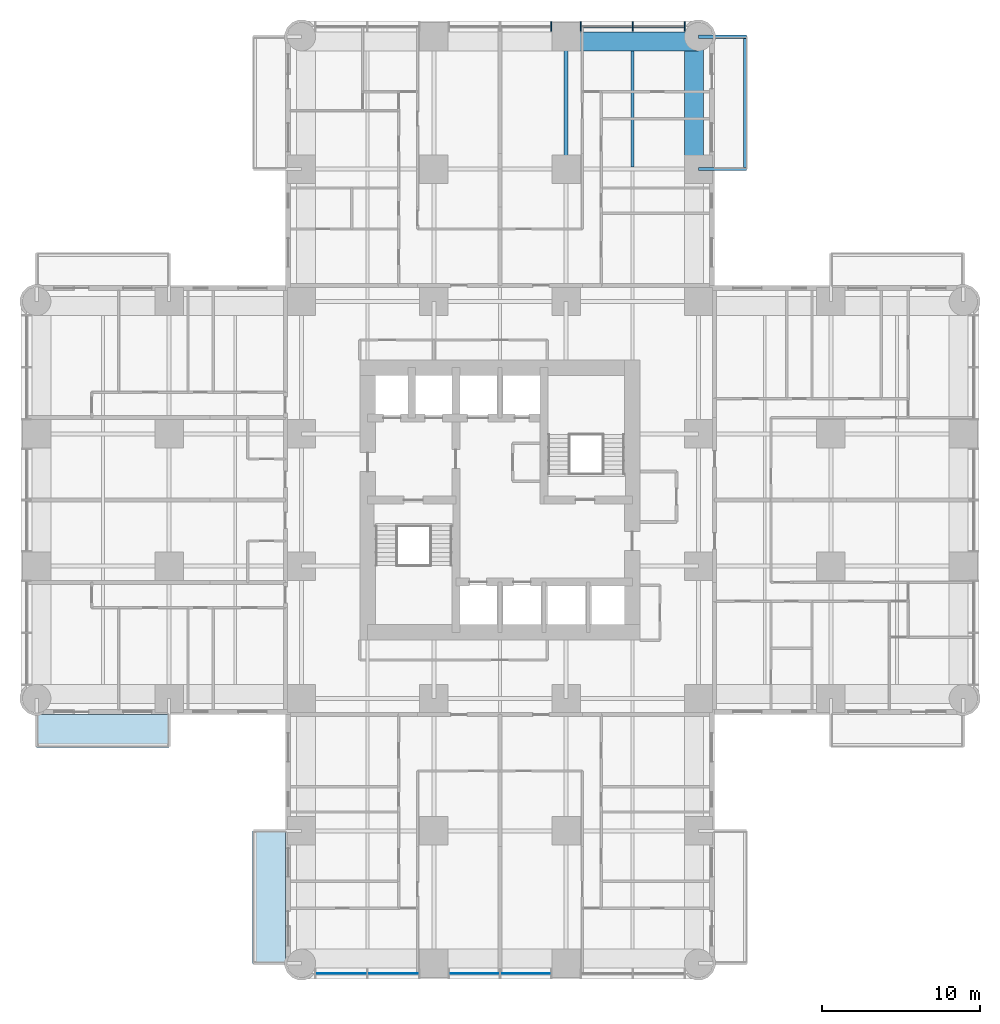
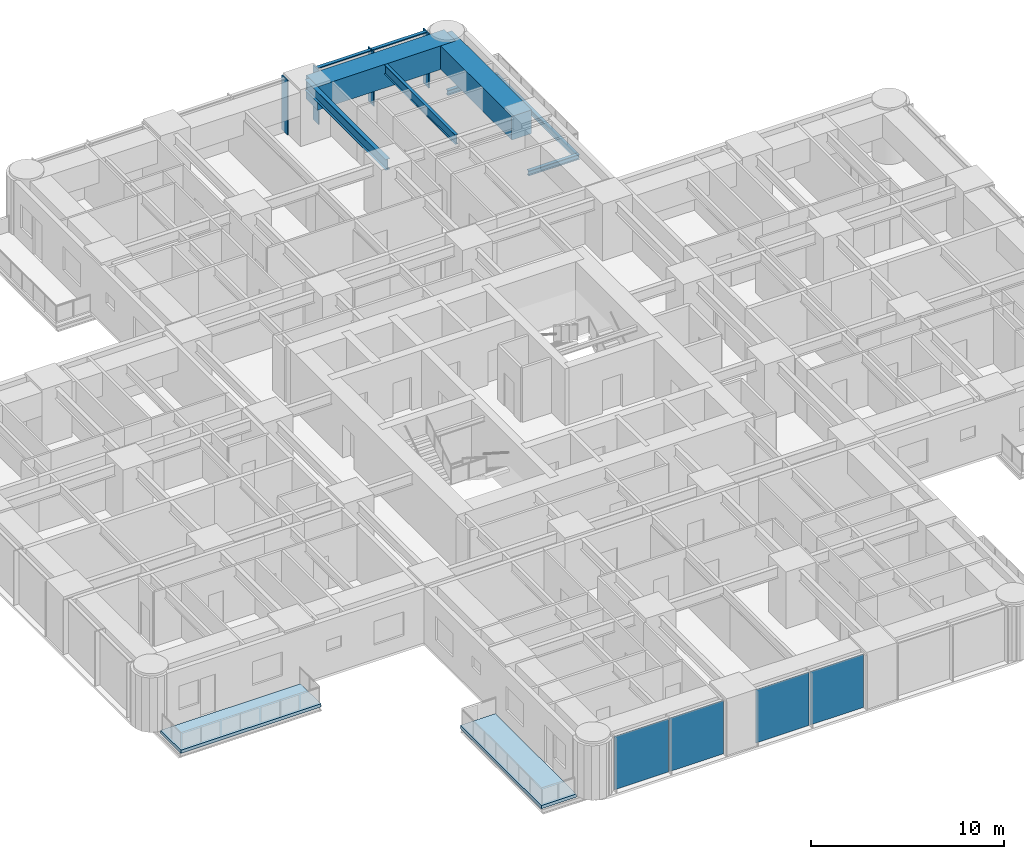
# One storey, part 5 of 17: 7 beams, 6 members, 4 plates, 2 slabs, 2 elements without a shape of their own.
"""IFC4 building model written with IfcOpenShell, lengths in metres."""

import ifcopenshell
import ifcopenshell.guid

model = None  # the IFC model being written
_history = None  # IfcOwnerHistory: only IFC2X3 demands one
_inside = {}  # id of a spatial element -> (the spatial element, [elements in it])
_under = {}  # id of a project, library or spatial element -> (it, [spatial elements below it])
_declared = {}  # id of a project -> (the project, [libraries it declares])
_typed = {}  # id of a type object -> (the type object, [elements of that type])
_made_of = {}  # id of a material, layer set ... -> (it, [elements and type objects made of it])


def new_model(schema):
    """Start an empty IFC model of exactly this schema.

    Asked for "IFC4X3", IfcOpenShell would pick the latest addendum, in which some entities
    have other attributes; the version numbers below select the first issue.
    IFC2X3 requires an IfcOwnerHistory on every rooted entity: one is made here for all.
    """
    global model, _history
    if schema == "IFC4X3":
        model = ifcopenshell.file(schema_version=(4, 3, 0, 0))
    else:
        model = ifcopenshell.file(schema=schema)
    _inside.clear()
    _under.clear()
    _declared.clear()
    _typed.clear()
    _made_of.clear()
    _history = None
    if model.schema == "IFC2X3":
        org = make("IfcOrganization", Name="unknown")
        user = make(
            "IfcPersonAndOrganization",
            ThePerson=make("IfcPerson", FamilyName="unknown"),
            TheOrganization=org,
        )
        app = make(
            "IfcApplication",
            ApplicationDeveloper=org,
            Version="unknown",
            ApplicationFullName="unknown",
            ApplicationIdentifier="unknown",
        )
        _history = make(
            "IfcOwnerHistory",
            OwningUser=user,
            OwningApplication=app,
            ChangeAction="ADDED",
            CreationDate=0,
        )
    return model


def make(cls, **values):
    """One entity of the class cls with the attributes given. An attribute that is None is left unset."""
    return model.create_entity(
        cls, **{name: value for name, value in values.items() if value is not None}
    )


def rooted(cls, **values):
    """An entity with a GlobalId (a new one), such as an element, a storey or a relation."""
    return make(cls, GlobalId=ifcopenshell.guid.new(), OwnerHistory=_history, **values)


def si_unit(unit_type, name, prefix=None):
    """IfcSIUnit, for example si_unit("LENGTHUNIT", "METRE", prefix="MILLI")."""
    return make("IfcSIUnit", UnitType=unit_type, Prefix=prefix, Name=name)


def assignment(units):
    """IfcUnitAssignment: the units of a project."""
    return None if units is None else make("IfcUnitAssignment", Units=units)


def point(xyz):
    """IfcCartesianPoint."""
    return None if xyz is None else make("IfcCartesianPoint", Coordinates=xyz)


def direction(xyz):
    """IfcDirection."""
    return None if xyz is None else make("IfcDirection", DirectionRatios=xyz)


def frame(location, z_axis=None, x_axis=None):
    """IfcAxis2Placement3D, a coordinate frame: its origin and axes. An axis left out is left unset."""
    return make(
        "IfcAxis2Placement3D",
        Location=point(location),
        Axis=direction(z_axis),
        RefDirection=direction(x_axis),
    )


def frame_2d(location, x_axis=None):
    """IfcAxis2Placement2D, a coordinate frame in the plane: its origin and x axis."""
    return make(
        "IfcAxis2Placement2D", Location=point(location), RefDirection=direction(x_axis)
    )


def origin():
    """The frame at (0, 0, 0) with its axes left unset."""
    return frame((0.0, 0.0, 0.0))


def origin_2d():
    """The frame at (0, 0) in the plane with its x axis left unset."""
    return frame_2d((0.0, 0.0))


def place(relative_to, where):
    """IfcLocalPlacement: puts the frame where relative to a parent placement (None: the world)."""
    return make(
        "IfcLocalPlacement", PlacementRelTo=relative_to, RelativePlacement=where
    )


def context(
    kind, dimensions, precision=None, world=None, true_north=None, identifier=None
):
    """IfcGeometricRepresentationContext, for example the 3D "Model" context."""
    return make(
        "IfcGeometricRepresentationContext",
        ContextIdentifier=identifier,
        ContextType=kind,
        CoordinateSpaceDimension=dimensions,
        Precision=precision,
        WorldCoordinateSystem=world,
        TrueNorth=true_north,
    )


def subcontext(parent, identifier, kind, view, scale=None):
    """IfcGeometricRepresentationSubContext, for example "Body" below "Model"."""
    return make(
        "IfcGeometricRepresentationSubContext",
        ContextIdentifier=identifier,
        ContextType=kind,
        ParentContext=parent,
        TargetScale=scale,
        TargetView=view,
    )


def project(units=None, contexts=None):
    """IfcProject with its units and contexts."""
    return rooted(
        "IfcProject",
        Name="project",
        RepresentationContexts=contexts,
        UnitsInContext=assignment(units),
    )


def spatial(cls, under=None, at=None, **own):
    """A site, building, storey or space (cls), placed at a placement, below another one or the project."""
    s = rooted(cls, ObjectPlacement=at, **own)
    if under is not None:
        _under.setdefault(under.id(), (under, []))[1].append(s)
    return s


def polyline(points):
    """IfcPolyline through the points."""
    return make("IfcPolyline", Points=[point(p) for p in points])


def profile(cls, at=None, kind="AREA", **sizes):
    """A parametric profile (cls). Its sizes go by their IFC names, for example OverallWidth=200.0."""
    return make(cls, ProfileType=kind, Position=at, **sizes)


def rectangle(**sizes):
    """IfcRectangleProfileDef."""
    return profile("IfcRectangleProfileDef", **sizes)


def i_section(**sizes):
    """IfcIShapeProfileDef."""
    return profile("IfcIShapeProfileDef", **sizes)


def outline(outer, holes=None, kind="AREA"):
    """IfcArbitraryClosedProfileDef: a profile drawn as a closed curve; with holes, ...WithVoids."""
    if holes is None:
        return make("IfcArbitraryClosedProfileDef", ProfileType=kind, OuterCurve=outer)
    return make(
        "IfcArbitraryProfileDefWithVoids",
        ProfileType=kind,
        OuterCurve=outer,
        InnerCurves=holes,
    )


def extrude(swept, where, along, depth):
    """IfcExtrudedAreaSolid: the profile swept, set in the frame where, extruded along a direction by depth."""
    return make(
        "IfcExtrudedAreaSolid",
        SweptArea=swept,
        Position=where,
        ExtrudedDirection=direction(along),
        Depth=depth,
    )


def shape(context_of_items, identifier, shape_type, items):
    """IfcShapeRepresentation: the items that make up one representation, for example the "Body"."""
    return make(
        "IfcShapeRepresentation",
        ContextOfItems=context_of_items,
        RepresentationIdentifier=identifier,
        RepresentationType=shape_type,
        Items=items,
    )


def material(Name=None, Category=None):
    """IfcMaterial."""
    return make("IfcMaterial", Name=Name, Category=Category)


def layer(
    of_material, thickness, ventilated=None, Name=None, Category=None, Priority=None
):
    """IfcMaterialLayer: one layer of a wall or slab, of a material (None: an air gap)."""
    return make(
        "IfcMaterialLayer",
        Material=of_material,
        LayerThickness=thickness,
        IsVentilated=ventilated,
        Name=Name,
        Category=Category,
        Priority=Priority,
    )


def layer_set(layers, Name=None):
    """IfcMaterialLayerSet."""
    return make("IfcMaterialLayerSet", MaterialLayers=layers, LayerSetName=Name)


def material_profile(
    of_material, cross_section, Name=None, Category=None, Priority=None
):
    """IfcMaterialProfile: a cross section and its material."""
    return make(
        "IfcMaterialProfile",
        Name=Name,
        Material=of_material,
        Profile=cross_section,
        Priority=Priority,
        Category=Category,
    )


def profile_set(profiles, Name=None, composite=None):
    """IfcMaterialProfileSet."""
    return make(
        "IfcMaterialProfileSet",
        Name=Name,
        MaterialProfiles=profiles,
        CompositeProfile=composite,
    )


def made_of(thing, what):
    """Note that an element or type object is made of a material, layer set ...; save() writes the relation."""
    if what is not None:
        _made_of.setdefault(what.id(), (what, []))[1].append(thing)
    return thing


def type_object(cls, material=None, **own):
    """A type object (cls), such as IfcWallType, which elements share."""
    return made_of(rooted(cls, **own), material)


def element(
    cls,
    number,
    at=None,
    inside=None,
    cuts=None,
    type_object=None,
    material=None,
    context=None,
    identifier="Body",
    shape_type=None,
    held_by="IfcProductDefinitionShape",
    body=None,
    shapes=None,
    **own,
):
    """One element of the class cls, such as IfcWall. Its Tag is "e" and its number.

    at: its placement. inside: the storey or other place that contains it. cuts: it is an
    opening in that element (IfcRelVoidsElement). A single representation is given by context,
    identifier, shape_type and body (its items); several are given by shapes. held_by: the class
    of the entity that holds the representations. save() writes the other relations.
    """
    e = rooted(cls, Tag="e%d" % number, ObjectPlacement=at, **own)
    if body is not None:
        shapes = [shape(context, identifier, shape_type, body)]
    if shapes is not None:
        e.Representation = make(held_by, Representations=shapes)
    if inside is not None:
        _inside.setdefault(inside.id(), (inside, []))[1].append(e)
    if cuts is not None:
        rooted(
            "IfcRelVoidsElement", RelatingBuildingElement=cuts, RelatedOpeningElement=e
        )
    if type_object is not None:
        _typed.setdefault(type_object.id(), (type_object, []))[1].append(e)
    return made_of(e, material)


def aggregate(whole, parts):
    """IfcRelAggregates: a whole, such as a stair, and the parts it consists of."""
    return rooted("IfcRelAggregates", RelatingObject=whole, RelatedObjects=parts)


def save(model, path):
    """Write the relations noted so far, then the file.

    IfcRelAggregates (storeys below a building ...), IfcRelContainedInSpatialStructure (elements
    in a storey), IfcRelDefinesByType, IfcRelAssociatesMaterial and IfcRelDeclares: one each for
    every whole, place, type object, material and project.
    """
    for whole, parts in _under.values():
        aggregate(whole, parts)
    for where, things in _inside.values():
        rooted(
            "IfcRelContainedInSpatialStructure",
            RelatedElements=things,
            RelatingStructure=where,
        )
    for kind, things in _typed.values():
        rooted("IfcRelDefinesByType", RelatedObjects=things, RelatingType=kind)
    for what, things in _made_of.values():
        rooted("IfcRelAssociatesMaterial", RelatedObjects=things, RelatingMaterial=what)
    for by, libraries in _declared.values():
        rooted("IfcRelDeclares", RelatingContext=by, RelatedDefinitions=libraries)
    model.write(path)


model = new_model("IFC4")

# Units and contexts
model_context = context("Model", 3, precision=1e-05, world=origin(), true_north=direction((0.0, 1.0)))
body_context = subcontext(model_context, "Body", "Model", "MODEL_VIEW")
ifc_project = project(units=[si_unit("LENGTHUNIT", "METRE"), si_unit("AREAUNIT", "SQUARE_METRE"), si_unit("VOLUMEUNIT", "CUBIC_METRE"), si_unit("PLANEANGLEUNIT", "RADIAN"), si_unit("MASSUNIT", "GRAM", prefix="KILO")], contexts=[model_context])

# Site, building, storey
site_placement = place(None, origin())
site = spatial("IfcSite", under=ifc_project, at=site_placement, CompositionType="ELEMENT")
building_placement = place(site_placement, origin())
building = spatial("IfcBuilding", under=site, at=building_placement, Name="Torre Alcanfor", CompositionType="ELEMENT")
storey_placement = place(building_placement, frame((0.0, 0.0, 74.10009765625)))
storey = spatial("IfcBuildingStorey", under=building, at=storey_placement, Name="L18", CompositionType="ELEMENT", Elevation=74.10009765625)

# Beams
ifc_material_1 = material(Name="Steel ASTM A992 Grade 50", Category="steel")
ifc_material_profile_1 = material_profile(ifc_material_1, i_section(OverallWidth=0.205322265625, OverallDepth=0.309814453125, WebThickness=0.00927734375, FlangeThickness=0.016357421875, at=origin_2d()), Name="W12x50")
ifc_profile_set_1 = profile_set([ifc_material_profile_1], Name="Steel ASTM A992 Grade 50")
beam_type_1 = type_object("IfcBeamType", Name="Balcony cantilever beam W12x50", PredefinedType="BEAM", material=ifc_profile_set_1)
for number, where, z_axis, x_axis, name in (
    (1, (42.0, 50.39990234375, -0.35498046875), (1.0, 0.0, 0.0), (0.0, 1.0, 0.0), "Balcony cantilever beam L18-N2 1"),
    (2, (42.0, 58.800048828125, -0.35498046875), (1.0, 0.0, 0.0), (0.0, 1.0, 0.0), "Balcony cantilever beam L18-N2 2"),
):
    element("IfcBeam", number, at=place(storey_placement, frame(where, z_axis=z_axis, x_axis=x_axis)), inside=storey, type_object=beam_type_1, Name=name, PredefinedType="BEAM", context=body_context, shape_type="SweptSolid", body=[
        extrude(i_section(OverallWidth=0.205322265625, OverallDepth=0.309814453125, WebThickness=0.00927734375, FlangeThickness=0.016357421875, at=origin_2d()), origin(), (0.0, 0.0, 1.0), 3.050048828125),
    ])
ifc_material_2 = material(Name="Steel ASTM A992 Grade 50", Category="steel")
ifc_material_profile_2 = material_profile(ifc_material_2, i_section(OverallWidth=0.203369140625, OverallDepth=0.30224609375, WebThickness=0.007568359375, FlangeThickness=0.01318359375, at=origin_2d()), Name="W12x40")
ifc_profile_set_2 = profile_set([ifc_material_profile_2], Name="Steel ASTM A992 Grade 50")
beam_type_2 = type_object("IfcBeamType", Name="Balcony edge trimmer W12x40", PredefinedType="BEAM", material=ifc_profile_set_2)
beam_1_placement = place(storey_placement, frame((44.9482421875, 50.39990234375, -0.351318359375), z_axis=(0.0, 1.0, 0.0), x_axis=(-1.0, 0.0, 0.0)))
element("IfcBeam", 3, at=beam_1_placement, inside=storey, type_object=beam_type_2, Name="Balcony edge trimmer L18-N2", PredefinedType="BEAM", context=body_context, shape_type="SweptSolid", body=[
    extrude(i_section(OverallWidth=0.203369140625, OverallDepth=0.30224609375, WebThickness=0.007568359375, FlangeThickness=0.01318359375, at=origin_2d()), origin(), (0.0, 0.0, 1.0), 8.400146484375),
])

# Curtain wall, members
ifc_material_3 = material(Name="Aluminium and glass", Category="aluminium")
curtain_wall_type = type_object("IfcCurtainWallType", Name="CW-A unitised apartment glazing with vertical FIN", PredefinedType="NOTDEFINED", material=ifc_material_3)
curtain_wall_1_placement = place(storey_placement, origin())
curtain_wall_1 = element("IfcCurtainWall", 4, at=curtain_wall_1_placement, inside=storey, type_object=curtain_wall_type, Name="Curtain wall CW-A L18 11", PredefinedType="NOTDEFINED")
ifc_material_4 = material(Name="Bronze anodised aluminium", Category="aluminium")
ifc_material_profile_3 = material_profile(ifc_material_4, rectangle(XDim=0.60009765625, YDim=0.06494140625, at=origin_2d()), Name="CW-A mullion 65x600")
ifc_profile_set_3 = profile_set([ifc_material_profile_3], Name="Bronze anodised aluminium")
member_type_1 = type_object("IfcMemberType", Name="CW-A mullion with vertical FIN 65x600", PredefinedType="MULLION", material=ifc_profile_set_3)
member_1_placement = place(storey_placement, frame((41.133056640625, 59.449951171875, 0.0), z_axis=(0.0, 0.0, 1.0), x_axis=(0.0, -1.0, 0.0)))
member_1 = element("IfcMember", 5, at=member_1_placement, type_object=member_type_1, Name="CW-A mullion 1.1", PredefinedType="MULLION", context=body_context, shape_type="SweptSolid", body=[
    extrude(rectangle(XDim=0.60009765625, YDim=0.06494140625, at=origin_2d()), origin(), (0.0, 0.0, 1.0), 3.449951171875),
])
member_2_placement = place(storey_placement, frame((37.835205078125, 59.449951171875, 0.0), z_axis=(0.0, 0.0, 1.0), x_axis=(0.0, -1.0, 0.0)))
member_2 = element("IfcMember", 6, at=member_2_placement, type_object=member_type_1, Name="CW-A mullion 1.2", PredefinedType="MULLION", context=body_context, shape_type="SweptSolid", body=[
    extrude(rectangle(XDim=0.60009765625, YDim=0.06494140625, at=origin_2d()), origin(), (0.0, 0.0, 1.0), 3.449951171875),
])
member_3_placement = place(storey_placement, frame((34.53759765625, 59.449951171875, 0.0), z_axis=(0.0, 0.0, 1.0), x_axis=(0.0, -1.0, 0.0)))
member_3 = element("IfcMember", 7, at=member_3_placement, type_object=member_type_1, Name="CW-A mullion 1.3", PredefinedType="MULLION", context=body_context, shape_type="SweptSolid", body=[
    extrude(rectangle(XDim=0.60009765625, YDim=0.06494140625, at=origin_2d()), origin(), (0.0, 0.0, 1.0), 3.449951171875),
])
member_4_placement = place(storey_placement, frame((32.66259765625, 59.449951171875, 0.0), z_axis=(0.0, 0.0, 1.0), x_axis=(0.0, -1.0, 0.0)))
member_4 = element("IfcMember", 8, at=member_4_placement, type_object=member_type_1, Name="CW-A mullion 2.1", PredefinedType="MULLION", context=body_context, shape_type="SweptSolid", body=[
    extrude(rectangle(XDim=0.60009765625, YDim=0.06494140625, at=origin_2d()), origin(), (0.0, 0.0, 1.0), 3.449951171875),
])
ifc_material_5 = material(Name="Extruded aluminium", Category="aluminium")
ifc_material_profile_4 = material_profile(ifc_material_5, rectangle(XDim=0.199951171875, YDim=0.06494140625, at=origin_2d()), Name="CW-A transom 200x65")
ifc_profile_set_4 = profile_set([ifc_material_profile_4], Name="Extruded aluminium")
member_type_2 = type_object("IfcMemberType", Name="CW-A transom 65x200", PredefinedType="USERDEFINED", material=ifc_profile_set_4)
member_5_placement = place(storey_placement, frame((41.1005859375, 59.449951171875, 3.41748046875), z_axis=(-1.0, 0.0, 0.0), x_axis=(0.0, -1.0, 0.0)))
member_5 = element("IfcMember", 9, at=member_5_placement, type_object=member_type_2, Name="CW-A transom 1.1.2", ObjectType="TRANSOM", PredefinedType="USERDEFINED", context=body_context, shape_type="SweptSolid", body=[
    extrude(rectangle(XDim=0.199951171875, YDim=0.06494140625, at=origin_2d()), origin(), (0.0, 0.0, 1.0), 3.23291015625),
])
member_6_placement = place(storey_placement, frame((37.802734375, 59.449951171875, 3.41748046875), z_axis=(-1.0, 0.0, 0.0), x_axis=(0.0, -1.0, 0.0)))
member_6 = element("IfcMember", 10, at=member_6_placement, type_object=member_type_2, Name="CW-A transom 1.2.2", ObjectType="TRANSOM", PredefinedType="USERDEFINED", context=body_context, shape_type="SweptSolid", body=[
    extrude(rectangle(XDim=0.199951171875, YDim=0.06494140625, at=origin_2d()), origin(), (0.0, 0.0, 1.0), 3.232666015625),
])
aggregate(curtain_wall_1, [member_1, member_2, member_3, member_5, member_6, member_4])

# Beams
ifc_material_6 = material(Name="Steel ASTM A992 Grade 50", Category="steel")
ifc_material_profile_5 = material_profile(ifc_material_6, i_section(OverallWidth=0.25390625, OverallDepth=0.683349609375, WebThickness=0.012451171875, FlangeThickness=0.01904296875, at=origin_2d()), Name="W27x94")
ifc_profile_set_5 = profile_set([ifc_material_profile_5], Name="Steel ASTM A992 Grade 50")
beam_type_3 = type_object("IfcBeamType", Name="Girder W27x94", PredefinedType="BEAM", material=ifc_profile_set_5)
beam_2_placement = place(storey_placement, frame((33.60009765625, 50.39990234375, 3.108154296875), z_axis=(0.0, 1.0, 0.0), x_axis=(-1.0, 0.0, 0.0)))
element("IfcBeam", 11, at=beam_2_placement, inside=storey, type_object=beam_type_3, Name="Beam 5J-5K under L19", PredefinedType="BEAM", context=body_context, shape_type="SweptSolid", body=[
    extrude(i_section(OverallWidth=0.25390625, OverallDepth=0.683349609375, WebThickness=0.012451171875, FlangeThickness=0.01904296875, at=origin_2d()), origin(), (0.0, 0.0, 1.0), 8.400146484375),
])
ifc_material_7 = material(Name="Concrete f'c 70 MPa", Category="concrete")
ifc_material_profile_6 = material_profile(ifc_material_7, rectangle(XDim=1.199951171875, YDim=1.5, at=origin_2d()), Name="1200x1500")
ifc_profile_set_6 = profile_set([ifc_material_profile_6], Name="Concrete f'c 70 MPa")
beam_type_4 = type_object("IfcBeamType", Name="RC perimeter beam 1200x1500", PredefinedType="BEAM", material=ifc_profile_set_6)
for number, where, z_axis, x_axis, name in (
    (12, (33.72705078125, 58.5, 2.699951171875), (1.0, 0.0, 0.0), (0.0, 1.0, 0.0), "Beam 5K-6K under L19"),
    (13, (41.699951171875, 50.527099609375, 2.699951171875), (0.0, 1.0, 0.0), (-1.0, 0.0, 0.0), "Beam 6J-6K under L19"),
):
    element("IfcBeam", number, at=place(storey_placement, frame(where, z_axis=z_axis, x_axis=x_axis)), inside=storey, type_object=beam_type_4, Name=name, PredefinedType="BEAM", context=body_context, shape_type="SweptSolid", body=[
        extrude(rectangle(XDim=1.199951171875, YDim=1.5, at=origin_2d()), origin(), (0.0, 0.0, 1.0), 8.27294921875),
    ])
ifc_material_8 = material(Name="Steel ASTM A992 Grade 50", Category="steel")
ifc_material_profile_7 = material_profile(ifc_material_8, i_section(OverallWidth=0.1787109375, OverallDepth=0.60205078125, WebThickness=0.010986328125, FlangeThickness=0.014892578125, at=origin_2d()), Name="W24x62")
ifc_profile_set_7 = profile_set([ifc_material_profile_7], Name="Steel ASTM A992 Grade 50")
beam_type_5 = type_object("IfcBeamType", Name="Secondary beam W24x62", PredefinedType="BEAM", material=ifc_profile_set_7)
beam_3_placement = place(storey_placement, frame((37.800048828125, 50.527099609375, 3.14892578125), z_axis=(0.0, 1.0, 0.0), x_axis=(-1.0, 0.0, 0.0)))
element("IfcBeam", 14, at=beam_3_placement, inside=storey, type_object=beam_type_5, Name="Beam 37_8J-37_8K under L19", PredefinedType="BEAM", context=body_context, shape_type="SweptSolid", body=[
    extrude(i_section(OverallWidth=0.1787109375, OverallDepth=0.60205078125, WebThickness=0.010986328125, FlangeThickness=0.014892578125, at=origin_2d()), origin(), (0.0, 0.0, 1.0), 7.372802734375),
])

# Slabs
ifc_material_9 = material(Name="Concrete f'c 35 MPa", Category="concrete")
ifc_layer_1 = layer(ifc_material_9, 0.199951171875)
ifc_layer_set_1 = layer_set([ifc_layer_1], Name="Balcony slab 200")
slab_type = type_object("IfcSlabType", Name="Balcony slab 200", PredefinedType="FLOOR", material=ifc_layer_set_1)
slab_1_placement = place(storey_placement, frame((0.0, 0.0, -0.2001953125)))
element("IfcSlab", 15, at=slab_1_placement, inside=storey, type_object=slab_type, Name="Balcony L18-S2", PredefinedType="FLOOR", context=body_context, shape_type="SweptSolid", body=[
    extrude(outline(polyline([(13.699951171875, 8.39990234375), (13.699951171875, 0.0), (15.800048828125, 0.0), (15.800048828125, 8.39990234375), (13.699951171875, 8.39990234375)])), origin(), (0.0, 0.0, 1.0), 0.2001953125),
])
slab_2_placement = place(storey_placement, frame((0.0, 0.0, -0.2001953125)))
element("IfcSlab", 16, at=slab_2_placement, inside=storey, type_object=slab_type, Name="Balcony L18-W1", PredefinedType="FLOOR", context=body_context, shape_type="SweptSolid", body=[
    extrude(outline(polyline([(8.39990234375, 15.800048828125), (0.0, 15.800048828125), (0.0, 13.699951171875), (8.39990234375, 13.699951171875), (8.39990234375, 15.800048828125)])), origin(), (0.0, 0.0, 1.0), 0.2001953125),
])

# Curtain wall, plates
curtain_wall_2_placement = place(storey_placement, origin())
curtain_wall_2 = element("IfcCurtainWall", 17, at=curtain_wall_2_placement, inside=storey, type_object=curtain_wall_type, Name="Curtain wall CW-A L18 5", PredefinedType="NOTDEFINED")
ifc_material_10 = material(Name="Glass", Category="glass")
ifc_layer_2 = layer(ifc_material_10, 0.028076171875)
ifc_layer_set_2 = layer_set([ifc_layer_2], Name="CW-A clear double glazed unit")
plate_type = type_object("IfcPlateType", Name="CW-A clear double glazed unit", PredefinedType="CURTAIN_PANEL", material=ifc_layer_set_2)
plate_1_placement = place(storey_placement, frame((19.31591796875, -0.64990234375, 0.0), z_axis=(0.0, 0.0, 1.0), x_axis=(1.0, 0.0, 0.0)))
plate_1 = element("IfcPlate", 18, at=plate_1_placement, type_object=plate_type, Name="CW-A panel 1.1.1", PredefinedType="CURTAIN_PANEL", context=body_context, shape_type="SweptSolid", body=[
    extrude(rectangle(XDim=3.232666015625, YDim=0.028076171875, at=origin_2d()), origin(), (0.0, 0.0, 1.0), 3.385009765625),
])
plate_2_placement = place(storey_placement, frame((22.613525390625, -0.64990234375, 0.0), z_axis=(0.0, 0.0, 1.0), x_axis=(1.0, 0.0, 0.0)))
plate_2 = element("IfcPlate", 19, at=plate_2_placement, type_object=plate_type, Name="CW-A panel 1.2.1", PredefinedType="CURTAIN_PANEL", context=body_context, shape_type="SweptSolid", body=[
    extrude(rectangle(XDim=3.232666015625, YDim=0.028076171875, at=origin_2d()), origin(), (0.0, 0.0, 1.0), 3.385009765625),
])
plate_3_placement = place(storey_placement, frame((27.768798828125, -0.64990234375, 0.0), z_axis=(0.0, 0.0, 1.0), x_axis=(1.0, 0.0, 0.0)))
plate_3 = element("IfcPlate", 20, at=plate_3_placement, type_object=plate_type, Name="CW-A panel 2.1.1", PredefinedType="CURTAIN_PANEL", context=body_context, shape_type="SweptSolid", body=[
    extrude(rectangle(XDim=3.197509765625, YDim=0.028076171875, at=origin_2d()), origin(), (0.0, 0.0, 1.0), 3.385009765625),
])
plate_4_placement = place(storey_placement, frame((31.03125, -0.64990234375, 0.0), z_axis=(0.0, 0.0, 1.0), x_axis=(1.0, 0.0, 0.0)))
plate_4 = element("IfcPlate", 21, at=plate_4_placement, type_object=plate_type, Name="CW-A panel 2.2.1", PredefinedType="CURTAIN_PANEL", context=body_context, shape_type="SweptSolid", body=[
    extrude(rectangle(XDim=3.197509765625, YDim=0.028076171875, at=origin_2d()), origin(), (0.0, 0.0, 1.0), 3.385009765625),
])
aggregate(curtain_wall_2, [plate_1, plate_2, plate_3, plate_4])

save(model, "model.ifc")
